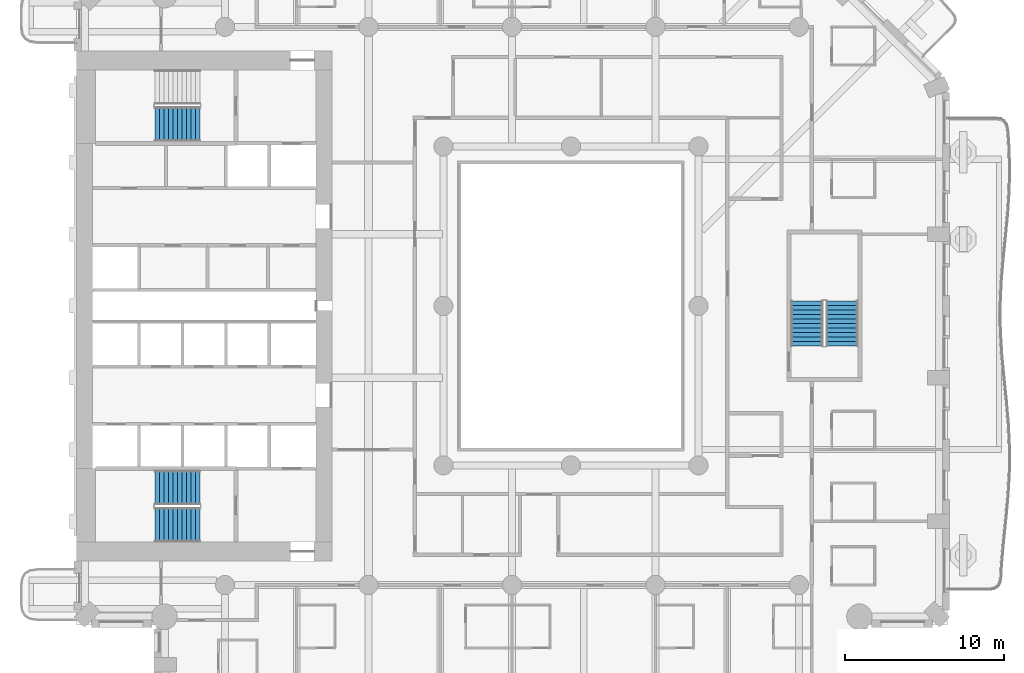
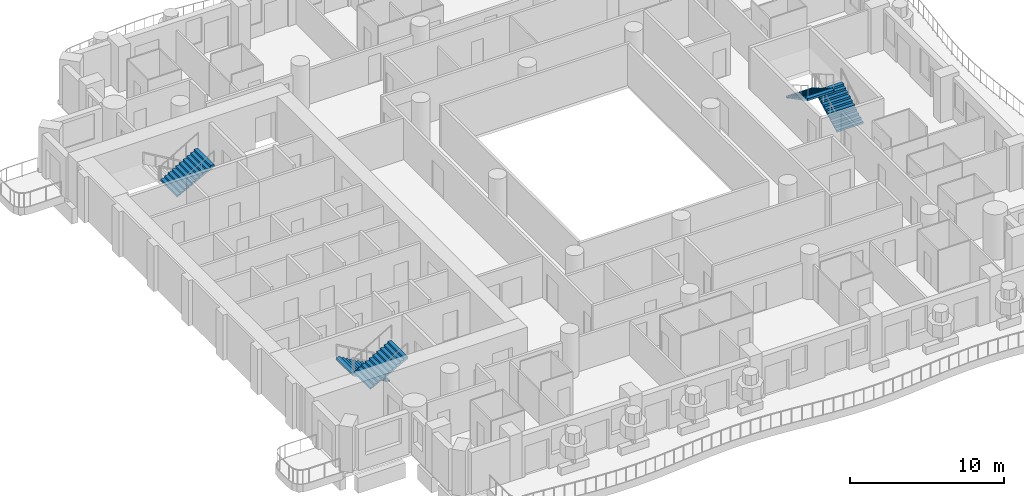
# One storey, part 11 of 20: 5 stair flights, 3 elements without a shape of their own.
"""IFC4 building model written with IfcOpenShell, lengths in metres."""

from ifc_helpers import new_model, si_unit, direction, frame, origin, place, context, subcontext, project, spatial, triangles, material, type_object, element, aggregate, save


model = new_model("IFC4")

# Units and contexts
model_context = context("Model", 3, precision=1e-05, world=origin(), true_north=direction((0.0, 1.0)))
body_context = subcontext(model_context, "Body", "Model", "MODEL_VIEW")
ifc_project = project(units=[si_unit("LENGTHUNIT", "METRE"), si_unit("AREAUNIT", "SQUARE_METRE"), si_unit("VOLUMEUNIT", "CUBIC_METRE"), si_unit("PLANEANGLEUNIT", "RADIAN"), si_unit("MASSUNIT", "GRAM", prefix="KILO")], contexts=[model_context])

# Site, building, storey
site_placement = place(None, origin())
site = spatial("IfcSite", under=ifc_project, at=site_placement, CompositionType="ELEMENT")
building_placement = place(site_placement, origin())
building = spatial("IfcBuilding", under=site, at=building_placement, Name="Cypress Arch Tower", CompositionType="ELEMENT")
storey_placement = place(building_placement, frame((0.0, 0.0, 87.89990234375)))
storey = spatial("IfcBuildingStorey", under=building, at=storey_placement, Name="L16", CompositionType="ELEMENT", Elevation=87.89990234375)

# Stair, stair flights
ifc_material_1 = material(Name="Concrete C40/50", Category="concrete")
stair_type_1 = type_object("IfcStairType", Name="Exit stair ES1636-200", PredefinedType="HALF_TURN_STAIR", material=ifc_material_1)
stair_1_placement = place(storey_placement, origin())
stair_1 = element("IfcStair", 1, at=stair_1_placement, inside=storey, type_object=stair_type_1, Name="L16 Exit stair C", PredefinedType="HALF_TURN_STAIR")
ifc_material_2 = material(Name="Concrete C40/50", Category="concrete")
stair_flight_type_1 = type_object("IfcStairFlightType", Name="Exit stair flight ES1636-200", PredefinedType="STRAIGHT", material=ifc_material_2)
stair_flight_1_placement = place(storey_placement, frame((18.0, -2.5, 0.0), z_axis=(0.0, 0.0, 1.0), x_axis=(0.0, 1.0, 0.0)))
stair_flight_1 = element("IfcStairFlight", 2, at=stair_flight_1_placement, type_object=stair_flight_type_1, Name="C flight 1", NumberOfRisers=11, NumberOfTreads=10, PredefinedType="STRAIGHT", RiserHeight=0.163636364, TreadLength=0.28, context=body_context, shape_type="Tessellation", body=[
    triangles([(0.0, -1.0, 0.0), (0.00048828125, -1.0, 0.054443359375), (0.00048828125, -1.0, 0.109130859375), (0.0, -1.0, 0.16357421875), (0.280029296875, -1.0, 0.16357421875), (0.280029296875, -1.0, 0.327392578125), (0.56005859375, -1.0, 0.327392578125), (0.56005859375, -1.0, 0.490966796875), (0.840087890625, -1.0, 0.490966796875), (0.840087890625, -1.0, 0.654541015625), (1.1201171875, -1.0, 0.654541015625), (1.1201171875, -1.0, 0.818115234375), (1.39990234375, -1.0, 0.818115234375), (1.39990234375, -1.0, 0.98193359375), (1.679931640625, -1.0, 0.98193359375), (1.679931640625, -1.0, 1.1455078125), (1.9599609375, -1.0, 1.1455078125), (1.9599609375, -1.0, 1.30908203125), (2.239990234375, -1.0, 1.30908203125), (2.239990234375, -1.0, 1.47265625), (2.52001953125, -1.0, 1.47265625), (2.52001953125, -1.0, 1.636474609375), (2.800048828125, -1.0, 1.636474609375), (2.799560546875, -1.0, 1.57861328125), (2.799560546875, -1.0, 1.5205078125), (2.800048828125, -1.0, 1.462646484375), (2.800048828125, 1.0, 1.462646484375), (2.799560546875, 1.0, 1.5205078125), (2.799560546875, 1.0, 1.57861328125), (2.800048828125, 1.0, 1.636474609375), (2.52001953125, 1.0, 1.636474609375), (2.52001953125, 1.0, 1.47265625), (2.239990234375, 1.0, 1.47265625), (2.239990234375, 1.0, 1.30908203125), (1.9599609375, 1.0, 1.30908203125), (1.9599609375, 1.0, 1.1455078125), (1.679931640625, 1.0, 1.1455078125), (1.679931640625, 1.0, 0.98193359375), (1.39990234375, 1.0, 0.98193359375), (1.39990234375, 1.0, 0.818115234375), (1.1201171875, 1.0, 0.818115234375), (1.1201171875, 1.0, 0.654541015625), (0.840087890625, 1.0, 0.654541015625), (0.840087890625, 1.0, 0.490966796875), (0.56005859375, 1.0, 0.490966796875), (0.56005859375, 1.0, 0.327392578125), (0.280029296875, 1.0, 0.327392578125), (0.280029296875, 1.0, 0.16357421875), (0.0, 1.0, 0.16357421875), (0.00048828125, 1.0, 0.109130859375), (0.00048828125, 1.0, 0.054443359375), (0.0, 1.0, 0.0), (2.799560546875, 0.0, 1.5205078125), (2.800048828125, 0.0, 1.462646484375), (2.799560546875, 0.0, 1.57861328125), (2.800048828125, 0.0, 1.636474609375), (2.52001953125, 0.0, 1.636474609375), (2.52001953125, 0.0, 1.47265625), (2.239990234375, 0.0, 1.47265625), (2.239990234375, 0.0, 1.30908203125), (1.9599609375, 0.0, 1.30908203125), (1.9599609375, 0.0, 1.1455078125), (1.679931640625, 0.0, 1.1455078125), (1.679931640625, 0.0, 0.98193359375), (1.39990234375, 0.0, 0.98193359375), (1.39990234375, 0.0, 0.818115234375), (1.1201171875, 0.0, 0.818115234375), (1.1201171875, 0.0, 0.654541015625), (0.840087890625, 0.0, 0.654541015625), (0.840087890625, 0.0, 0.490966796875), (0.56005859375, 0.0, 0.490966796875), (0.56005859375, 0.0, 0.327392578125), (0.280029296875, 0.0, 0.327392578125), (0.280029296875, 0.0, 0.16357421875), (0.0, 0.0, 0.16357421875), (0.00048828125, 0.0, 0.109130859375), (0.00048828125, 0.0, 0.054443359375), (0.0, 0.0, 0.0)], [[26, 25, 22], [25, 24, 22], [24, 23, 22], [15, 14, 13], [7, 6, 5], [13, 12, 11], [21, 20, 19], [19, 18, 17], [17, 16, 15], [11, 10, 9], [9, 8, 7], [4, 3, 5], [3, 2, 5], [2, 1, 5], [26, 22, 21], [26, 21, 19], [26, 19, 17], [26, 17, 15], [26, 15, 13], [26, 13, 11], [26, 11, 9], [26, 9, 7], [26, 7, 5], [26, 5, 1], [27, 31, 28], [28, 31, 29], [29, 31, 30], [38, 40, 39], [46, 48, 47], [40, 42, 41], [32, 34, 33], [34, 36, 35], [36, 38, 37], [42, 44, 43], [44, 46, 45], [49, 48, 50], [50, 48, 51], [51, 48, 52], [27, 32, 31], [27, 34, 32], [27, 36, 34], [27, 38, 36], [27, 40, 38], [27, 42, 40], [27, 44, 42], [27, 46, 44], [27, 48, 46], [27, 52, 48], [54, 53, 25], [54, 25, 26], [27, 28, 53], [27, 53, 54], [53, 55, 24], [53, 24, 25], [28, 29, 55], [28, 55, 53], [55, 56, 23], [55, 23, 24], [29, 30, 56], [29, 56, 55], [56, 57, 22], [56, 22, 23], [30, 31, 57], [30, 57, 56], [57, 58, 21], [57, 21, 22], [31, 32, 58], [31, 58, 57], [58, 59, 20], [58, 20, 21], [32, 33, 59], [32, 59, 58], [59, 60, 19], [59, 19, 20], [33, 34, 60], [33, 60, 59], [60, 61, 18], [60, 18, 19], [34, 35, 61], [34, 61, 60], [61, 62, 17], [61, 17, 18], [35, 36, 62], [35, 62, 61], [62, 63, 16], [62, 16, 17], [36, 37, 63], [36, 63, 62], [63, 64, 15], [63, 15, 16], [37, 38, 64], [37, 64, 63], [64, 65, 14], [64, 14, 15], [38, 39, 65], [38, 65, 64], [65, 66, 13], [65, 13, 14], [39, 40, 66], [39, 66, 65], [66, 67, 12], [66, 12, 13], [40, 41, 67], [40, 67, 66], [67, 68, 11], [67, 11, 12], [41, 42, 68], [41, 68, 67], [68, 69, 10], [68, 10, 11], [42, 43, 69], [42, 69, 68], [69, 70, 9], [69, 9, 10], [43, 44, 70], [43, 70, 69], [70, 71, 8], [70, 8, 9], [44, 45, 71], [44, 71, 70], [71, 72, 7], [71, 7, 8], [45, 46, 72], [45, 72, 71], [72, 73, 6], [72, 6, 7], [46, 47, 73], [46, 73, 72], [73, 74, 5], [73, 5, 6], [47, 48, 74], [47, 74, 73], [74, 75, 4], [74, 4, 5], [48, 49, 75], [48, 75, 74], [75, 76, 3], [75, 3, 4], [49, 50, 76], [49, 76, 75], [76, 77, 2], [76, 2, 3], [50, 51, 77], [50, 77, 76], [77, 78, 1], [77, 1, 2], [51, 52, 78], [51, 78, 77], [78, 54, 26], [78, 26, 1], [52, 27, 54], [52, 54, 78]], closed=True),
])
stair_flight_2_placement = place(storey_placement, frame((15.800048828125, 0.300048828125, 1.800048828125), z_axis=(0.0, 0.0, 1.0), x_axis=(0.0, -1.0, 0.0)))
stair_flight_2 = element("IfcStairFlight", 3, at=stair_flight_2_placement, type_object=stair_flight_type_1, Name="C flight 2", NumberOfRisers=11, NumberOfTreads=10, PredefinedType="STRAIGHT", RiserHeight=0.163636364, TreadLength=0.28, context=body_context, shape_type="Tessellation", body=[
    triangles([(0.0, -1.0, 0.0), (0.00048828125, -1.0, 0.054443359375), (0.00048828125, -1.0, 0.109130859375), (0.0, -1.0, 0.16357421875), (0.280029296875, -1.0, 0.16357421875), (0.280029296875, -1.0, 0.327392578125), (0.56005859375, -1.0, 0.327392578125), (0.56005859375, -1.0, 0.490966796875), (0.840087890625, -1.0, 0.490966796875), (0.840087890625, -1.0, 0.654541015625), (1.1201171875, -1.0, 0.654541015625), (1.1201171875, -1.0, 0.818115234375), (1.39990234375, -1.0, 0.818115234375), (1.39990234375, -1.0, 0.98193359375), (1.679931640625, -1.0, 0.98193359375), (1.679931640625, -1.0, 1.1455078125), (1.9599609375, -1.0, 1.1455078125), (1.9599609375, -1.0, 1.30908203125), (2.239990234375, -1.0, 1.30908203125), (2.239990234375, -1.0, 1.47265625), (2.52001953125, -1.0, 1.47265625), (2.52001953125, -1.0, 1.636474609375), (2.800048828125, -1.0, 1.636474609375), (2.799560546875, -1.0, 1.57861328125), (2.799560546875, -1.0, 1.5205078125), (2.800048828125, -1.0, 1.462646484375), (2.800048828125, 1.0, 1.462646484375), (2.799560546875, 1.0, 1.5205078125), (2.799560546875, 1.0, 1.57861328125), (2.800048828125, 1.0, 1.636474609375), (2.52001953125, 1.0, 1.636474609375), (2.52001953125, 1.0, 1.47265625), (2.239990234375, 1.0, 1.47265625), (2.239990234375, 1.0, 1.30908203125), (1.9599609375, 1.0, 1.30908203125), (1.9599609375, 1.0, 1.1455078125), (1.679931640625, 1.0, 1.1455078125), (1.679931640625, 1.0, 0.98193359375), (1.39990234375, 1.0, 0.98193359375), (1.39990234375, 1.0, 0.818115234375), (1.1201171875, 1.0, 0.818115234375), (1.1201171875, 1.0, 0.654541015625), (0.840087890625, 1.0, 0.654541015625), (0.840087890625, 1.0, 0.490966796875), (0.56005859375, 1.0, 0.490966796875), (0.56005859375, 1.0, 0.327392578125), (0.280029296875, 1.0, 0.327392578125), (0.280029296875, 1.0, 0.16357421875), (0.0, 1.0, 0.16357421875), (0.00048828125, 1.0, 0.109130859375), (0.00048828125, 1.0, 0.054443359375), (0.0, 1.0, 0.0), (2.799560546875, 0.0, 1.5205078125), (2.800048828125, 0.0, 1.462646484375), (2.799560546875, 0.0, 1.57861328125), (2.800048828125, 0.0, 1.636474609375), (2.52001953125, 0.0, 1.636474609375), (2.52001953125, 0.0, 1.47265625), (2.239990234375, 0.0, 1.47265625), (2.239990234375, 0.0, 1.30908203125), (1.9599609375, 0.0, 1.30908203125), (1.9599609375, 0.0, 1.1455078125), (1.679931640625, 0.0, 1.1455078125), (1.679931640625, 0.0, 0.98193359375), (1.39990234375, 0.0, 0.98193359375), (1.39990234375, 0.0, 0.818115234375), (1.1201171875, 0.0, 0.818115234375), (1.1201171875, 0.0, 0.654541015625), (0.840087890625, 0.0, 0.654541015625), (0.840087890625, 0.0, 0.490966796875), (0.56005859375, 0.0, 0.490966796875), (0.56005859375, 0.0, 0.327392578125), (0.280029296875, 0.0, 0.327392578125), (0.280029296875, 0.0, 0.16357421875), (0.0, 0.0, 0.16357421875), (0.00048828125, 0.0, 0.109130859375), (0.00048828125, 0.0, 0.054443359375), (0.0, 0.0, 0.0)], [[26, 25, 22], [25, 24, 22], [24, 23, 22], [15, 14, 13], [7, 6, 5], [13, 12, 11], [21, 20, 19], [19, 18, 17], [17, 16, 15], [11, 10, 9], [9, 8, 7], [4, 3, 5], [3, 2, 5], [2, 1, 5], [26, 22, 21], [26, 21, 19], [26, 19, 17], [26, 17, 15], [26, 15, 13], [26, 13, 11], [26, 11, 9], [26, 9, 7], [26, 7, 5], [26, 5, 1], [27, 31, 28], [28, 31, 29], [29, 31, 30], [38, 40, 39], [46, 48, 47], [40, 42, 41], [32, 34, 33], [34, 36, 35], [36, 38, 37], [42, 44, 43], [44, 46, 45], [49, 48, 50], [50, 48, 51], [51, 48, 52], [27, 32, 31], [27, 34, 32], [27, 36, 34], [27, 38, 36], [27, 40, 38], [27, 42, 40], [27, 44, 42], [27, 46, 44], [27, 48, 46], [27, 52, 48], [54, 53, 25], [54, 25, 26], [27, 28, 53], [27, 53, 54], [53, 55, 24], [53, 24, 25], [28, 29, 55], [28, 55, 53], [55, 56, 23], [55, 23, 24], [29, 30, 56], [29, 56, 55], [56, 57, 22], [56, 22, 23], [30, 31, 57], [30, 57, 56], [57, 58, 21], [57, 21, 22], [31, 32, 58], [31, 58, 57], [58, 59, 20], [58, 20, 21], [32, 33, 59], [32, 59, 58], [59, 60, 19], [59, 19, 20], [33, 34, 60], [33, 60, 59], [60, 61, 18], [60, 18, 19], [34, 35, 61], [34, 61, 60], [61, 62, 17], [61, 17, 18], [35, 36, 62], [35, 62, 61], [62, 63, 16], [62, 16, 17], [36, 37, 63], [36, 63, 62], [63, 64, 15], [63, 15, 16], [37, 38, 64], [37, 64, 63], [64, 65, 14], [64, 14, 15], [38, 39, 65], [38, 65, 64], [65, 66, 13], [65, 13, 14], [39, 40, 66], [39, 66, 65], [66, 67, 12], [66, 12, 13], [40, 41, 67], [40, 67, 66], [67, 68, 11], [67, 11, 12], [41, 42, 68], [41, 68, 67], [68, 69, 10], [68, 10, 11], [42, 43, 69], [42, 69, 68], [69, 70, 9], [69, 9, 10], [43, 44, 70], [43, 70, 69], [70, 71, 8], [70, 8, 9], [44, 45, 71], [44, 71, 70], [71, 72, 7], [71, 7, 8], [45, 46, 72], [45, 72, 71], [72, 73, 6], [72, 6, 7], [46, 47, 73], [46, 73, 72], [73, 74, 5], [73, 5, 6], [47, 48, 74], [47, 74, 73], [74, 75, 4], [74, 4, 5], [48, 49, 75], [48, 75, 74], [75, 76, 3], [75, 3, 4], [49, 50, 76], [49, 76, 75], [76, 77, 2], [76, 2, 3], [50, 51, 77], [50, 77, 76], [77, 78, 1], [77, 1, 2], [51, 52, 78], [51, 78, 77], [78, 54, 26], [78, 26, 1], [52, 27, 54], [52, 54, 78]], closed=True),
])
aggregate(stair_1, [stair_flight_1, stair_flight_2])

ifc_material_3 = material(Name="Concrete C40/50", Category="concrete")
stair_type_2 = type_object("IfcStairType", Name="Exit stair ES1636-215", PredefinedType="HALF_TURN_STAIR", material=ifc_material_3)
stair_2_placement = place(storey_placement, origin())
stair_2 = element("IfcStair", 4, at=stair_2_placement, inside=storey, type_object=stair_type_2, Name="L16 Exit stair A", PredefinedType="HALF_TURN_STAIR")
ifc_material_4 = material(Name="Concrete C40/50", Category="concrete")
stair_flight_type_2 = type_object("IfcStairFlightType", Name="Exit stair flight ES1636-215", PredefinedType="STRAIGHT", material=ifc_material_4)
stair_flight_3_placement = place(storey_placement, frame((-22.27490234375, -11.39990234375, 0.0), z_axis=(0.0, 0.0, 1.0), x_axis=(-1.0, 0.0, 0.0)))
stair_flight_3 = element("IfcStairFlight", 5, at=stair_flight_3_placement, type_object=stair_flight_type_2, Name="A flight 1", NumberOfRisers=11, NumberOfTreads=10, PredefinedType="STRAIGHT", RiserHeight=0.163636364, TreadLength=0.28, context=body_context, shape_type="Tessellation", body=[
    triangles([(0.0, -1.074951171875, 0.0), (0.000244140625, -1.074951171875, 0.03271484375), (0.00048828125, -1.074951171875, 0.0654296875), (0.00048828125, -1.074951171875, 0.09814453125), (0.000244140625, -1.074951171875, 0.130859375), (0.0, -1.074951171875, 0.16357421875), (0.280029296875, -1.074951171875, 0.16357421875), (0.280029296875, -1.074951171875, 0.327392578125), (0.56005859375, -1.074951171875, 0.327392578125), (0.56005859375, -1.074951171875, 0.490966796875), (0.840087890625, -1.074951171875, 0.490966796875), (0.840087890625, -1.074951171875, 0.654541015625), (1.1201171875, -1.074951171875, 0.654541015625), (1.1201171875, -1.074951171875, 0.818115234375), (1.39990234375, -1.074951171875, 0.818115234375), (1.39990234375, -1.074951171875, 0.98193359375), (1.679931640625, -1.074951171875, 0.98193359375), (1.679931640625, -1.074951171875, 1.1455078125), (1.9599609375, -1.074951171875, 1.1455078125), (1.9599609375, -1.074951171875, 1.30908203125), (2.239990234375, -1.074951171875, 1.30908203125), (2.239990234375, -1.074951171875, 1.47265625), (2.52001953125, -1.074951171875, 1.47265625), (2.52001953125, -1.074951171875, 1.636474609375), (2.800048828125, -1.074951171875, 1.636474609375), (2.7998046875, -1.074951171875, 1.601806640625), (2.799560546875, -1.074951171875, 1.56689453125), (2.799560546875, -1.074951171875, 1.5322265625), (2.7998046875, -1.074951171875, 1.497314453125), (2.800048828125, -1.074951171875, 1.462646484375), (2.800048828125, 1.074951171875, 1.462646484375), (2.7998046875, 1.074951171875, 1.497314453125), (2.799560546875, 1.074951171875, 1.5322265625), (2.799560546875, 1.074951171875, 1.56689453125), (2.7998046875, 1.074951171875, 1.601806640625), (2.800048828125, 1.074951171875, 1.636474609375), (2.52001953125, 1.074951171875, 1.636474609375), (2.52001953125, 1.074951171875, 1.47265625), (2.239990234375, 1.074951171875, 1.47265625), (2.239990234375, 1.074951171875, 1.30908203125), (1.9599609375, 1.074951171875, 1.30908203125), (1.9599609375, 1.074951171875, 1.1455078125), (1.679931640625, 1.074951171875, 1.1455078125), (1.679931640625, 1.074951171875, 0.98193359375), (1.39990234375, 1.074951171875, 0.98193359375), (1.39990234375, 1.074951171875, 0.818115234375), (1.1201171875, 1.074951171875, 0.818115234375), (1.1201171875, 1.074951171875, 0.654541015625), (0.840087890625, 1.074951171875, 0.654541015625), (0.840087890625, 1.074951171875, 0.490966796875), (0.56005859375, 1.074951171875, 0.490966796875), (0.56005859375, 1.074951171875, 0.327392578125), (0.280029296875, 1.074951171875, 0.327392578125), (0.280029296875, 1.074951171875, 0.16357421875), (0.0, 1.074951171875, 0.16357421875), (0.000244140625, 1.074951171875, 0.130859375), (0.00048828125, 1.074951171875, 0.09814453125), (0.00048828125, 1.074951171875, 0.0654296875), (0.000244140625, 1.074951171875, 0.03271484375), (0.0, 1.074951171875, 0.0), (2.7998046875, 0.0, 1.497314453125), (2.800048828125, 0.0, 1.462646484375), (2.799560546875, 0.0, 1.5322265625), (2.799560546875, 0.0, 1.56689453125), (2.7998046875, 0.0, 1.601806640625), (2.800048828125, 0.0, 1.636474609375), (2.52001953125, 0.0, 1.636474609375), (2.52001953125, 0.0, 1.47265625), (2.239990234375, 0.0, 1.47265625), (2.239990234375, 0.0, 1.30908203125), (1.9599609375, 0.0, 1.30908203125), (1.9599609375, 0.0, 1.1455078125), (1.679931640625, 0.0, 1.1455078125), (1.679931640625, 0.0, 0.98193359375), (1.39990234375, 0.0, 0.98193359375), (1.39990234375, 0.0, 0.818115234375), (1.1201171875, 0.0, 0.818115234375), (1.1201171875, 0.0, 0.654541015625), (0.840087890625, 0.0, 0.654541015625), (0.840087890625, 0.0, 0.490966796875), (0.56005859375, 0.0, 0.490966796875), (0.56005859375, 0.0, 0.327392578125), (0.280029296875, 0.0, 0.327392578125), (0.280029296875, 0.0, 0.16357421875), (0.0, 0.0, 0.16357421875), (0.000244140625, 0.0, 0.130859375), (0.00048828125, 0.0, 0.09814453125), (0.00048828125, 0.0, 0.0654296875), (0.000244140625, 0.0, 0.03271484375), (0.0, 0.0, 0.0)], [[30, 29, 24], [29, 28, 24], [28, 27, 24], [27, 26, 24], [26, 25, 24], [17, 16, 15], [9, 8, 7], [15, 14, 13], [23, 22, 21], [21, 20, 19], [19, 18, 17], [13, 12, 11], [11, 10, 9], [6, 5, 7], [5, 4, 7], [4, 3, 7], [3, 2, 7], [2, 1, 7], [30, 24, 23], [30, 23, 21], [30, 21, 19], [30, 19, 17], [30, 17, 15], [30, 15, 13], [30, 13, 11], [30, 11, 9], [30, 9, 7], [30, 7, 1], [31, 37, 32], [32, 37, 33], [33, 37, 34], [34, 37, 35], [35, 37, 36], [44, 46, 45], [52, 54, 53], [46, 48, 47], [38, 40, 39], [40, 42, 41], [42, 44, 43], [48, 50, 49], [50, 52, 51], [55, 54, 56], [56, 54, 57], [57, 54, 58], [58, 54, 59], [59, 54, 60], [31, 38, 37], [31, 40, 38], [31, 42, 40], [31, 44, 42], [31, 46, 44], [31, 48, 46], [31, 50, 48], [31, 52, 50], [31, 54, 52], [31, 60, 54], [62, 61, 29], [62, 29, 30], [31, 32, 61], [31, 61, 62], [61, 63, 28], [61, 28, 29], [32, 33, 63], [32, 63, 61], [63, 64, 27], [63, 27, 28], [33, 34, 64], [33, 64, 63], [64, 65, 26], [64, 26, 27], [34, 35, 65], [34, 65, 64], [65, 66, 25], [65, 25, 26], [35, 36, 66], [35, 66, 65], [66, 67, 24], [66, 24, 25], [36, 37, 67], [36, 67, 66], [67, 68, 23], [67, 23, 24], [37, 38, 68], [37, 68, 67], [68, 69, 22], [68, 22, 23], [38, 39, 69], [38, 69, 68], [69, 70, 21], [69, 21, 22], [39, 40, 70], [39, 70, 69], [70, 71, 20], [70, 20, 21], [40, 41, 71], [40, 71, 70], [71, 72, 19], [71, 19, 20], [41, 42, 72], [41, 72, 71], [72, 73, 18], [72, 18, 19], [42, 43, 73], [42, 73, 72], [73, 74, 17], [73, 17, 18], [43, 44, 74], [43, 74, 73], [74, 75, 16], [74, 16, 17], [44, 45, 75], [44, 75, 74], [75, 76, 15], [75, 15, 16], [45, 46, 76], [45, 76, 75], [76, 77, 14], [76, 14, 15], [46, 47, 77], [46, 77, 76], [77, 78, 13], [77, 13, 14], [47, 48, 78], [47, 78, 77], [78, 79, 12], [78, 12, 13], [48, 49, 79], [48, 79, 78], [79, 80, 11], [79, 11, 12], [49, 50, 80], [49, 80, 79], [80, 81, 10], [80, 10, 11], [50, 51, 81], [50, 81, 80], [81, 82, 9], [81, 9, 10], [51, 52, 82], [51, 82, 81], [82, 83, 8], [82, 8, 9], [52, 53, 83], [52, 83, 82], [83, 84, 7], [83, 7, 8], [53, 54, 84], [53, 84, 83], [84, 85, 6], [84, 6, 7], [54, 55, 85], [54, 85, 84], [85, 86, 5], [85, 5, 6], [55, 56, 86], [55, 86, 85], [86, 87, 4], [86, 4, 5], [56, 57, 87], [56, 87, 86], [87, 88, 3], [87, 3, 4], [57, 58, 88], [57, 88, 87], [88, 89, 2], [88, 2, 3], [58, 59, 89], [58, 89, 88], [89, 90, 1], [89, 1, 2], [59, 60, 90], [59, 90, 89], [90, 62, 30], [90, 30, 1], [60, 31, 62], [60, 62, 90]], closed=True),
])
stair_flight_4_placement = place(storey_placement, frame((-25.074951171875, -13.72509765625, 1.800048828125), z_axis=(0.0, 0.0, 1.0), x_axis=(1.0, 0.0, 0.0)))
stair_flight_4 = element("IfcStairFlight", 6, at=stair_flight_4_placement, type_object=stair_flight_type_2, Name="A flight 2", NumberOfRisers=11, NumberOfTreads=10, PredefinedType="STRAIGHT", RiserHeight=0.163636364, TreadLength=0.28, context=body_context, shape_type="Tessellation", body=[
    triangles([(0.0, -1.074951171875, 0.0), (0.000244140625, -1.074951171875, 0.03271484375), (0.00048828125, -1.074951171875, 0.0654296875), (0.00048828125, -1.074951171875, 0.09814453125), (0.000244140625, -1.074951171875, 0.130859375), (0.0, -1.074951171875, 0.16357421875), (0.280029296875, -1.074951171875, 0.16357421875), (0.280029296875, -1.074951171875, 0.327392578125), (0.56005859375, -1.074951171875, 0.327392578125), (0.56005859375, -1.074951171875, 0.490966796875), (0.840087890625, -1.074951171875, 0.490966796875), (0.840087890625, -1.074951171875, 0.654541015625), (1.1201171875, -1.074951171875, 0.654541015625), (1.1201171875, -1.074951171875, 0.818115234375), (1.39990234375, -1.074951171875, 0.818115234375), (1.39990234375, -1.074951171875, 0.98193359375), (1.679931640625, -1.074951171875, 0.98193359375), (1.679931640625, -1.074951171875, 1.1455078125), (1.9599609375, -1.074951171875, 1.1455078125), (1.9599609375, -1.074951171875, 1.30908203125), (2.239990234375, -1.074951171875, 1.30908203125), (2.239990234375, -1.074951171875, 1.47265625), (2.52001953125, -1.074951171875, 1.47265625), (2.52001953125, -1.074951171875, 1.636474609375), (2.800048828125, -1.074951171875, 1.636474609375), (2.7998046875, -1.074951171875, 1.601806640625), (2.799560546875, -1.074951171875, 1.56689453125), (2.799560546875, -1.074951171875, 1.5322265625), (2.7998046875, -1.074951171875, 1.497314453125), (2.800048828125, -1.074951171875, 1.462646484375), (2.800048828125, 1.074951171875, 1.462646484375), (2.7998046875, 1.074951171875, 1.497314453125), (2.799560546875, 1.074951171875, 1.5322265625), (2.799560546875, 1.074951171875, 1.56689453125), (2.7998046875, 1.074951171875, 1.601806640625), (2.800048828125, 1.074951171875, 1.636474609375), (2.52001953125, 1.074951171875, 1.636474609375), (2.52001953125, 1.074951171875, 1.47265625), (2.239990234375, 1.074951171875, 1.47265625), (2.239990234375, 1.074951171875, 1.30908203125), (1.9599609375, 1.074951171875, 1.30908203125), (1.9599609375, 1.074951171875, 1.1455078125), (1.679931640625, 1.074951171875, 1.1455078125), (1.679931640625, 1.074951171875, 0.98193359375), (1.39990234375, 1.074951171875, 0.98193359375), (1.39990234375, 1.074951171875, 0.818115234375), (1.1201171875, 1.074951171875, 0.818115234375), (1.1201171875, 1.074951171875, 0.654541015625), (0.840087890625, 1.074951171875, 0.654541015625), (0.840087890625, 1.074951171875, 0.490966796875), (0.56005859375, 1.074951171875, 0.490966796875), (0.56005859375, 1.074951171875, 0.327392578125), (0.280029296875, 1.074951171875, 0.327392578125), (0.280029296875, 1.074951171875, 0.16357421875), (0.0, 1.074951171875, 0.16357421875), (0.000244140625, 1.074951171875, 0.130859375), (0.00048828125, 1.074951171875, 0.09814453125), (0.00048828125, 1.074951171875, 0.0654296875), (0.000244140625, 1.074951171875, 0.03271484375), (0.0, 1.074951171875, 0.0), (2.7998046875, 0.0, 1.497314453125), (2.800048828125, 0.0, 1.462646484375), (2.799560546875, 0.0, 1.5322265625), (2.799560546875, 0.0, 1.56689453125), (2.7998046875, 0.0, 1.601806640625), (2.800048828125, 0.0, 1.636474609375), (2.52001953125, 0.0, 1.636474609375), (2.52001953125, 0.0, 1.47265625), (2.239990234375, 0.0, 1.47265625), (2.239990234375, 0.0, 1.30908203125), (1.9599609375, 0.0, 1.30908203125), (1.9599609375, 0.0, 1.1455078125), (1.679931640625, 0.0, 1.1455078125), (1.679931640625, 0.0, 0.98193359375), (1.39990234375, 0.0, 0.98193359375), (1.39990234375, 0.0, 0.818115234375), (1.1201171875, 0.0, 0.818115234375), (1.1201171875, 0.0, 0.654541015625), (0.840087890625, 0.0, 0.654541015625), (0.840087890625, 0.0, 0.490966796875), (0.56005859375, 0.0, 0.490966796875), (0.56005859375, 0.0, 0.327392578125), (0.280029296875, 0.0, 0.327392578125), (0.280029296875, 0.0, 0.16357421875), (0.0, 0.0, 0.16357421875), (0.000244140625, 0.0, 0.130859375), (0.00048828125, 0.0, 0.09814453125), (0.00048828125, 0.0, 0.0654296875), (0.000244140625, 0.0, 0.03271484375), (0.0, 0.0, 0.0)], [[30, 29, 24], [29, 28, 24], [28, 27, 24], [27, 26, 24], [26, 25, 24], [17, 16, 15], [9, 8, 7], [15, 14, 13], [23, 22, 21], [21, 20, 19], [19, 18, 17], [13, 12, 11], [11, 10, 9], [6, 5, 7], [5, 4, 7], [4, 3, 7], [3, 2, 7], [2, 1, 7], [30, 24, 23], [30, 23, 21], [30, 21, 19], [30, 19, 17], [30, 17, 15], [30, 15, 13], [30, 13, 11], [30, 11, 9], [30, 9, 7], [30, 7, 1], [31, 37, 32], [32, 37, 33], [33, 37, 34], [34, 37, 35], [35, 37, 36], [44, 46, 45], [52, 54, 53], [46, 48, 47], [38, 40, 39], [40, 42, 41], [42, 44, 43], [48, 50, 49], [50, 52, 51], [55, 54, 56], [56, 54, 57], [57, 54, 58], [58, 54, 59], [59, 54, 60], [31, 38, 37], [31, 40, 38], [31, 42, 40], [31, 44, 42], [31, 46, 44], [31, 48, 46], [31, 50, 48], [31, 52, 50], [31, 54, 52], [31, 60, 54], [62, 61, 29], [62, 29, 30], [31, 32, 61], [31, 61, 62], [61, 63, 28], [61, 28, 29], [32, 33, 63], [32, 63, 61], [63, 64, 27], [63, 27, 28], [33, 34, 64], [33, 64, 63], [64, 65, 26], [64, 26, 27], [34, 35, 65], [34, 65, 64], [65, 66, 25], [65, 25, 26], [35, 36, 66], [35, 66, 65], [66, 67, 24], [66, 24, 25], [36, 37, 67], [36, 67, 66], [67, 68, 23], [67, 23, 24], [37, 38, 68], [37, 68, 67], [68, 69, 22], [68, 22, 23], [38, 39, 69], [38, 69, 68], [69, 70, 21], [69, 21, 22], [39, 40, 70], [39, 70, 69], [70, 71, 20], [70, 20, 21], [40, 41, 71], [40, 71, 70], [71, 72, 19], [71, 19, 20], [41, 42, 72], [41, 72, 71], [72, 73, 18], [72, 18, 19], [42, 43, 73], [42, 73, 72], [73, 74, 17], [73, 17, 18], [43, 44, 74], [43, 74, 73], [74, 75, 16], [74, 16, 17], [44, 45, 75], [44, 75, 74], [75, 76, 15], [75, 15, 16], [45, 46, 76], [45, 76, 75], [76, 77, 14], [76, 14, 15], [46, 47, 77], [46, 77, 76], [77, 78, 13], [77, 13, 14], [47, 48, 78], [47, 78, 77], [78, 79, 12], [78, 12, 13], [48, 49, 79], [48, 79, 78], [79, 80, 11], [79, 11, 12], [49, 50, 80], [49, 80, 79], [80, 81, 10], [80, 10, 11], [50, 51, 81], [50, 81, 80], [81, 82, 9], [81, 9, 10], [51, 52, 82], [51, 82, 81], [82, 83, 8], [82, 8, 9], [52, 53, 83], [52, 83, 82], [83, 84, 7], [83, 7, 8], [53, 54, 84], [53, 84, 83], [84, 85, 6], [84, 6, 7], [54, 55, 85], [54, 85, 84], [85, 86, 5], [85, 5, 6], [55, 56, 86], [55, 86, 85], [86, 87, 4], [86, 4, 5], [56, 57, 87], [56, 87, 86], [87, 88, 3], [87, 3, 4], [57, 58, 88], [57, 88, 87], [88, 89, 2], [88, 2, 3], [58, 59, 89], [58, 89, 88], [89, 90, 1], [89, 1, 2], [59, 60, 90], [59, 90, 89], [90, 62, 30], [90, 30, 1], [60, 31, 62], [60, 62, 90]], closed=True),
])
aggregate(stair_2, [stair_flight_3, stair_flight_4])

# Stair, stair flight
stair_3_placement = place(storey_placement, origin())
stair_3 = element("IfcStair", 7, at=stair_3_placement, inside=storey, type_object=stair_type_2, Name="L16 Exit stair B", PredefinedType="HALF_TURN_STAIR")
stair_flight_5_placement = place(storey_placement, frame((-25.074951171875, 11.39990234375, 1.800048828125), z_axis=(0.0, 0.0, 1.0), x_axis=(1.0, 0.0, 0.0)))
stair_flight_5 = element("IfcStairFlight", 8, at=stair_flight_5_placement, type_object=stair_flight_type_2, Name="B flight 2", NumberOfRisers=11, NumberOfTreads=10, PredefinedType="STRAIGHT", RiserHeight=0.163636364, TreadLength=0.28, context=body_context, shape_type="Tessellation", body=[
    triangles([(0.0, -1.074951171875, 0.0), (0.000244140625, -1.074951171875, 0.03271484375), (0.00048828125, -1.074951171875, 0.0654296875), (0.00048828125, -1.074951171875, 0.09814453125), (0.000244140625, -1.074951171875, 0.130859375), (0.0, -1.074951171875, 0.16357421875), (0.280029296875, -1.074951171875, 0.16357421875), (0.280029296875, -1.074951171875, 0.327392578125), (0.56005859375, -1.074951171875, 0.327392578125), (0.56005859375, -1.074951171875, 0.490966796875), (0.840087890625, -1.074951171875, 0.490966796875), (0.840087890625, -1.074951171875, 0.654541015625), (1.1201171875, -1.074951171875, 0.654541015625), (1.1201171875, -1.074951171875, 0.818115234375), (1.39990234375, -1.074951171875, 0.818115234375), (1.39990234375, -1.074951171875, 0.98193359375), (1.679931640625, -1.074951171875, 0.98193359375), (1.679931640625, -1.074951171875, 1.1455078125), (1.9599609375, -1.074951171875, 1.1455078125), (1.9599609375, -1.074951171875, 1.30908203125), (2.239990234375, -1.074951171875, 1.30908203125), (2.239990234375, -1.074951171875, 1.47265625), (2.52001953125, -1.074951171875, 1.47265625), (2.52001953125, -1.074951171875, 1.636474609375), (2.800048828125, -1.074951171875, 1.636474609375), (2.7998046875, -1.074951171875, 1.601806640625), (2.799560546875, -1.074951171875, 1.56689453125), (2.799560546875, -1.074951171875, 1.5322265625), (2.7998046875, -1.074951171875, 1.497314453125), (2.800048828125, -1.074951171875, 1.462646484375), (2.800048828125, 1.074951171875, 1.462646484375), (2.7998046875, 1.074951171875, 1.497314453125), (2.799560546875, 1.074951171875, 1.5322265625), (2.799560546875, 1.074951171875, 1.56689453125), (2.7998046875, 1.074951171875, 1.601806640625), (2.800048828125, 1.074951171875, 1.636474609375), (2.52001953125, 1.074951171875, 1.636474609375), (2.52001953125, 1.074951171875, 1.47265625), (2.239990234375, 1.074951171875, 1.47265625), (2.239990234375, 1.074951171875, 1.30908203125), (1.9599609375, 1.074951171875, 1.30908203125), (1.9599609375, 1.074951171875, 1.1455078125), (1.679931640625, 1.074951171875, 1.1455078125), (1.679931640625, 1.074951171875, 0.98193359375), (1.39990234375, 1.074951171875, 0.98193359375), (1.39990234375, 1.074951171875, 0.818115234375), (1.1201171875, 1.074951171875, 0.818115234375), (1.1201171875, 1.074951171875, 0.654541015625), (0.840087890625, 1.074951171875, 0.654541015625), (0.840087890625, 1.074951171875, 0.490966796875), (0.56005859375, 1.074951171875, 0.490966796875), (0.56005859375, 1.074951171875, 0.327392578125), (0.280029296875, 1.074951171875, 0.327392578125), (0.280029296875, 1.074951171875, 0.16357421875), (0.0, 1.074951171875, 0.16357421875), (0.000244140625, 1.074951171875, 0.130859375), (0.00048828125, 1.074951171875, 0.09814453125), (0.00048828125, 1.074951171875, 0.0654296875), (0.000244140625, 1.074951171875, 0.03271484375), (0.0, 1.074951171875, 0.0), (2.7998046875, 0.0, 1.497314453125), (2.800048828125, 0.0, 1.462646484375), (2.799560546875, 0.0, 1.5322265625), (2.799560546875, 0.0, 1.56689453125), (2.7998046875, 0.0, 1.601806640625), (2.800048828125, 0.0, 1.636474609375), (2.52001953125, 0.0, 1.636474609375), (2.52001953125, 0.0, 1.47265625), (2.239990234375, 0.0, 1.47265625), (2.239990234375, 0.0, 1.30908203125), (1.9599609375, 0.0, 1.30908203125), (1.9599609375, 0.0, 1.1455078125), (1.679931640625, 0.0, 1.1455078125), (1.679931640625, 0.0, 0.98193359375), (1.39990234375, 0.0, 0.98193359375), (1.39990234375, 0.0, 0.818115234375), (1.1201171875, 0.0, 0.818115234375), (1.1201171875, 0.0, 0.654541015625), (0.840087890625, 0.0, 0.654541015625), (0.840087890625, 0.0, 0.490966796875), (0.56005859375, 0.0, 0.490966796875), (0.56005859375, 0.0, 0.327392578125), (0.280029296875, 0.0, 0.327392578125), (0.280029296875, 0.0, 0.16357421875), (0.0, 0.0, 0.16357421875), (0.000244140625, 0.0, 0.130859375), (0.00048828125, 0.0, 0.09814453125), (0.00048828125, 0.0, 0.0654296875), (0.000244140625, 0.0, 0.03271484375), (0.0, 0.0, 0.0)], [[30, 29, 24], [29, 28, 24], [28, 27, 24], [27, 26, 24], [26, 25, 24], [17, 16, 15], [9, 8, 7], [15, 14, 13], [23, 22, 21], [21, 20, 19], [19, 18, 17], [13, 12, 11], [11, 10, 9], [6, 5, 7], [5, 4, 7], [4, 3, 7], [3, 2, 7], [2, 1, 7], [30, 24, 23], [30, 23, 21], [30, 21, 19], [30, 19, 17], [30, 17, 15], [30, 15, 13], [30, 13, 11], [30, 11, 9], [30, 9, 7], [30, 7, 1], [31, 37, 32], [32, 37, 33], [33, 37, 34], [34, 37, 35], [35, 37, 36], [44, 46, 45], [52, 54, 53], [46, 48, 47], [38, 40, 39], [40, 42, 41], [42, 44, 43], [48, 50, 49], [50, 52, 51], [55, 54, 56], [56, 54, 57], [57, 54, 58], [58, 54, 59], [59, 54, 60], [31, 38, 37], [31, 40, 38], [31, 42, 40], [31, 44, 42], [31, 46, 44], [31, 48, 46], [31, 50, 48], [31, 52, 50], [31, 54, 52], [31, 60, 54], [62, 61, 29], [62, 29, 30], [31, 32, 61], [31, 61, 62], [61, 63, 28], [61, 28, 29], [32, 33, 63], [32, 63, 61], [63, 64, 27], [63, 27, 28], [33, 34, 64], [33, 64, 63], [64, 65, 26], [64, 26, 27], [34, 35, 65], [34, 65, 64], [65, 66, 25], [65, 25, 26], [35, 36, 66], [35, 66, 65], [66, 67, 24], [66, 24, 25], [36, 37, 67], [36, 67, 66], [67, 68, 23], [67, 23, 24], [37, 38, 68], [37, 68, 67], [68, 69, 22], [68, 22, 23], [38, 39, 69], [38, 69, 68], [69, 70, 21], [69, 21, 22], [39, 40, 70], [39, 70, 69], [70, 71, 20], [70, 20, 21], [40, 41, 71], [40, 71, 70], [71, 72, 19], [71, 19, 20], [41, 42, 72], [41, 72, 71], [72, 73, 18], [72, 18, 19], [42, 43, 73], [42, 73, 72], [73, 74, 17], [73, 17, 18], [43, 44, 74], [43, 74, 73], [74, 75, 16], [74, 16, 17], [44, 45, 75], [44, 75, 74], [75, 76, 15], [75, 15, 16], [45, 46, 76], [45, 76, 75], [76, 77, 14], [76, 14, 15], [46, 47, 77], [46, 77, 76], [77, 78, 13], [77, 13, 14], [47, 48, 78], [47, 78, 77], [78, 79, 12], [78, 12, 13], [48, 49, 79], [48, 79, 78], [79, 80, 11], [79, 11, 12], [49, 50, 80], [49, 80, 79], [80, 81, 10], [80, 10, 11], [50, 51, 81], [50, 81, 80], [81, 82, 9], [81, 9, 10], [51, 52, 82], [51, 82, 81], [82, 83, 8], [82, 8, 9], [52, 53, 83], [52, 83, 82], [83, 84, 7], [83, 7, 8], [53, 54, 84], [53, 84, 83], [84, 85, 6], [84, 6, 7], [54, 55, 85], [54, 85, 84], [85, 86, 5], [85, 5, 6], [55, 56, 86], [55, 86, 85], [86, 87, 4], [86, 4, 5], [56, 57, 87], [56, 87, 86], [87, 88, 3], [87, 3, 4], [57, 58, 88], [57, 88, 87], [88, 89, 2], [88, 2, 3], [58, 59, 89], [58, 89, 88], [89, 90, 1], [89, 1, 2], [59, 60, 90], [59, 90, 89], [90, 62, 30], [90, 30, 1], [60, 31, 62], [60, 62, 90]], closed=True),
])
aggregate(stair_3, [stair_flight_5])

save(model, "model.ifc")
